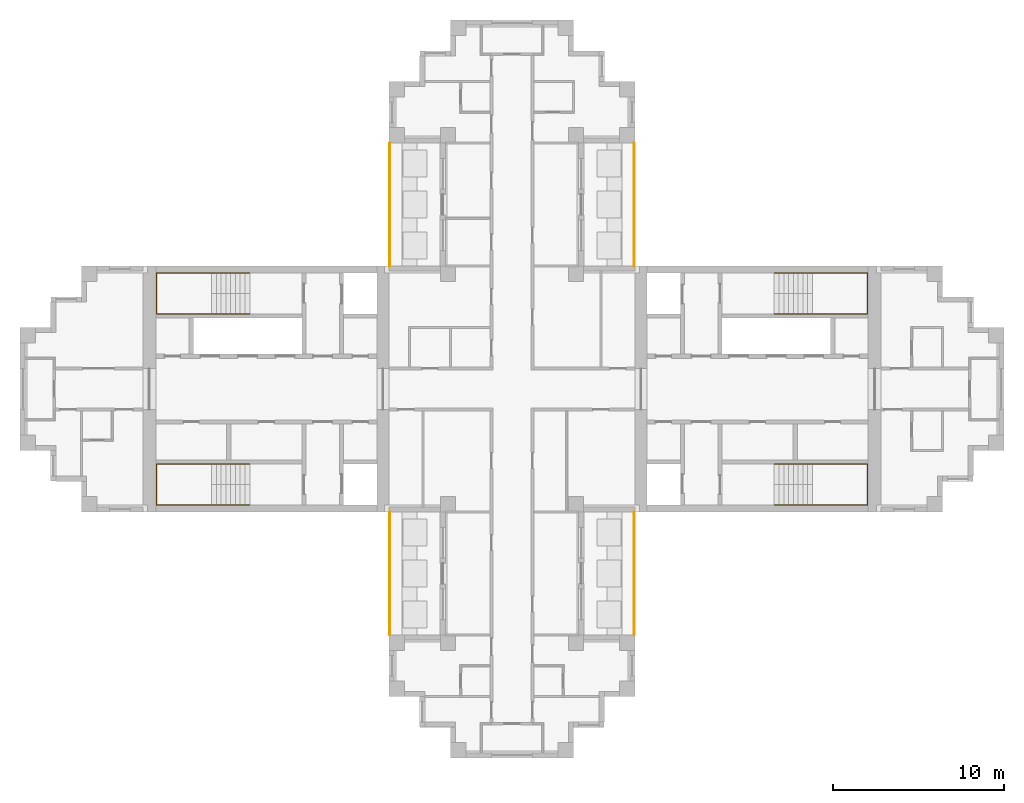
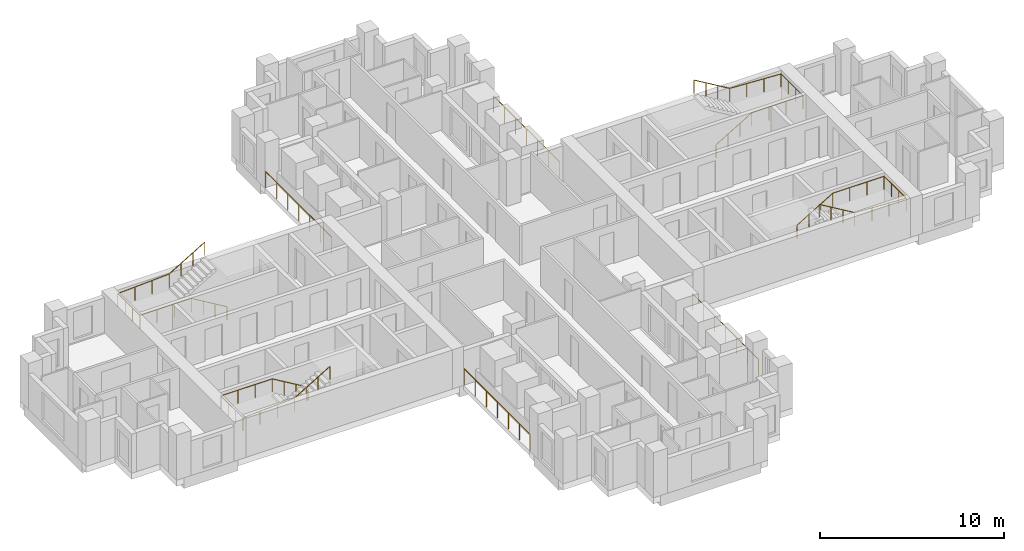
# One storey, part 9 of 10: 8 railings.
"""IFC4 building model written with IfcOpenShell, lengths in metres."""

import ifcopenshell
import ifcopenshell.guid

model = None  # the IFC model being written
_history = None  # IfcOwnerHistory: only IFC2X3 demands one
_inside = {}  # id of a spatial element -> (the spatial element, [elements in it])
_under = {}  # id of a project, library or spatial element -> (it, [spatial elements below it])
_declared = {}  # id of a project -> (the project, [libraries it declares])
_typed = {}  # id of a type object -> (the type object, [elements of that type])
_made_of = {}  # id of a material, layer set ... -> (it, [elements and type objects made of it])


def new_model(schema):
    """Start an empty IFC model of exactly this schema.

    Asked for "IFC4X3", IfcOpenShell would pick the latest addendum, in which some entities
    have other attributes; the version numbers below select the first issue.
    IFC2X3 requires an IfcOwnerHistory on every rooted entity: one is made here for all.
    """
    global model, _history
    if schema == "IFC4X3":
        model = ifcopenshell.file(schema_version=(4, 3, 0, 0))
    else:
        model = ifcopenshell.file(schema=schema)
    _inside.clear()
    _under.clear()
    _declared.clear()
    _typed.clear()
    _made_of.clear()
    _history = None
    if model.schema == "IFC2X3":
        org = make("IfcOrganization", Name="unknown")
        user = make(
            "IfcPersonAndOrganization",
            ThePerson=make("IfcPerson", FamilyName="unknown"),
            TheOrganization=org,
        )
        app = make(
            "IfcApplication",
            ApplicationDeveloper=org,
            Version="unknown",
            ApplicationFullName="unknown",
            ApplicationIdentifier="unknown",
        )
        _history = make(
            "IfcOwnerHistory",
            OwningUser=user,
            OwningApplication=app,
            ChangeAction="ADDED",
            CreationDate=0,
        )
    return model


def make(cls, **values):
    """One entity of the class cls with the attributes given. An attribute that is None is left unset."""
    return model.create_entity(
        cls, **{name: value for name, value in values.items() if value is not None}
    )


def rooted(cls, **values):
    """An entity with a GlobalId (a new one), such as an element, a storey or a relation."""
    return make(cls, GlobalId=ifcopenshell.guid.new(), OwnerHistory=_history, **values)


def si_unit(unit_type, name, prefix=None):
    """IfcSIUnit, for example si_unit("LENGTHUNIT", "METRE", prefix="MILLI")."""
    return make("IfcSIUnit", UnitType=unit_type, Prefix=prefix, Name=name)


def assignment(units):
    """IfcUnitAssignment: the units of a project."""
    return None if units is None else make("IfcUnitAssignment", Units=units)


def point(xyz):
    """IfcCartesianPoint."""
    return None if xyz is None else make("IfcCartesianPoint", Coordinates=xyz)


def direction(xyz):
    """IfcDirection."""
    return None if xyz is None else make("IfcDirection", DirectionRatios=xyz)


def frame(location, z_axis=None, x_axis=None):
    """IfcAxis2Placement3D, a coordinate frame: its origin and axes. An axis left out is left unset."""
    return make(
        "IfcAxis2Placement3D",
        Location=point(location),
        Axis=direction(z_axis),
        RefDirection=direction(x_axis),
    )


def frame_2d(location, x_axis=None):
    """IfcAxis2Placement2D, a coordinate frame in the plane: its origin and x axis."""
    return make(
        "IfcAxis2Placement2D", Location=point(location), RefDirection=direction(x_axis)
    )


def origin():
    """The frame at (0, 0, 0) with its axes left unset."""
    return frame((0.0, 0.0, 0.0))


def origin_2d():
    """The frame at (0, 0) in the plane with its x axis left unset."""
    return frame_2d((0.0, 0.0))


def place(relative_to, where):
    """IfcLocalPlacement: puts the frame where relative to a parent placement (None: the world)."""
    return make(
        "IfcLocalPlacement", PlacementRelTo=relative_to, RelativePlacement=where
    )


def context(
    kind, dimensions, precision=None, world=None, true_north=None, identifier=None
):
    """IfcGeometricRepresentationContext, for example the 3D "Model" context."""
    return make(
        "IfcGeometricRepresentationContext",
        ContextIdentifier=identifier,
        ContextType=kind,
        CoordinateSpaceDimension=dimensions,
        Precision=precision,
        WorldCoordinateSystem=world,
        TrueNorth=true_north,
    )


def subcontext(parent, identifier, kind, view, scale=None):
    """IfcGeometricRepresentationSubContext, for example "Body" below "Model"."""
    return make(
        "IfcGeometricRepresentationSubContext",
        ContextIdentifier=identifier,
        ContextType=kind,
        ParentContext=parent,
        TargetScale=scale,
        TargetView=view,
    )


def project(units=None, contexts=None):
    """IfcProject with its units and contexts."""
    return rooted(
        "IfcProject",
        Name="project",
        RepresentationContexts=contexts,
        UnitsInContext=assignment(units),
    )


def spatial(cls, under=None, at=None, **own):
    """A site, building, storey or space (cls), placed at a placement, below another one or the project."""
    s = rooted(cls, ObjectPlacement=at, **own)
    if under is not None:
        _under.setdefault(under.id(), (under, []))[1].append(s)
    return s


def profile(cls, at=None, kind="AREA", **sizes):
    """A parametric profile (cls). Its sizes go by their IFC names, for example OverallWidth=200.0."""
    return make(cls, ProfileType=kind, Position=at, **sizes)


def circle(**sizes):
    """IfcCircleProfileDef."""
    return profile("IfcCircleProfileDef", **sizes)


def extrude(swept, where, along, depth):
    """IfcExtrudedAreaSolid: the profile swept, set in the frame where, extruded along a direction by depth."""
    return make(
        "IfcExtrudedAreaSolid",
        SweptArea=swept,
        Position=where,
        ExtrudedDirection=direction(along),
        Depth=depth,
    )


def shape(context_of_items, identifier, shape_type, items):
    """IfcShapeRepresentation: the items that make up one representation, for example the "Body"."""
    return make(
        "IfcShapeRepresentation",
        ContextOfItems=context_of_items,
        RepresentationIdentifier=identifier,
        RepresentationType=shape_type,
        Items=items,
    )


def material(Name=None, Category=None):
    """IfcMaterial."""
    return make("IfcMaterial", Name=Name, Category=Category)


def made_of(thing, what):
    """Note that an element or type object is made of a material, layer set ...; save() writes the relation."""
    if what is not None:
        _made_of.setdefault(what.id(), (what, []))[1].append(thing)
    return thing


def type_object(cls, material=None, **own):
    """A type object (cls), such as IfcWallType, which elements share."""
    return made_of(rooted(cls, **own), material)


def element(
    cls,
    number,
    at=None,
    inside=None,
    cuts=None,
    type_object=None,
    material=None,
    context=None,
    identifier="Body",
    shape_type=None,
    held_by="IfcProductDefinitionShape",
    body=None,
    shapes=None,
    **own,
):
    """One element of the class cls, such as IfcWall. Its Tag is "e" and its number.

    at: its placement. inside: the storey or other place that contains it. cuts: it is an
    opening in that element (IfcRelVoidsElement). A single representation is given by context,
    identifier, shape_type and body (its items); several are given by shapes. held_by: the class
    of the entity that holds the representations. save() writes the other relations.
    """
    e = rooted(cls, Tag="e%d" % number, ObjectPlacement=at, **own)
    if body is not None:
        shapes = [shape(context, identifier, shape_type, body)]
    if shapes is not None:
        e.Representation = make(held_by, Representations=shapes)
    if inside is not None:
        _inside.setdefault(inside.id(), (inside, []))[1].append(e)
    if cuts is not None:
        rooted(
            "IfcRelVoidsElement", RelatingBuildingElement=cuts, RelatedOpeningElement=e
        )
    if type_object is not None:
        _typed.setdefault(type_object.id(), (type_object, []))[1].append(e)
    return made_of(e, material)


def aggregate(whole, parts):
    """IfcRelAggregates: a whole, such as a stair, and the parts it consists of."""
    return rooted("IfcRelAggregates", RelatingObject=whole, RelatedObjects=parts)


def save(model, path):
    """Write the relations noted so far, then the file.

    IfcRelAggregates (storeys below a building ...), IfcRelContainedInSpatialStructure (elements
    in a storey), IfcRelDefinesByType, IfcRelAssociatesMaterial and IfcRelDeclares: one each for
    every whole, place, type object, material and project.
    """
    for whole, parts in _under.values():
        aggregate(whole, parts)
    for where, things in _inside.values():
        rooted(
            "IfcRelContainedInSpatialStructure",
            RelatedElements=things,
            RelatingStructure=where,
        )
    for kind, things in _typed.values():
        rooted("IfcRelDefinesByType", RelatedObjects=things, RelatingType=kind)
    for what, things in _made_of.values():
        rooted("IfcRelAssociatesMaterial", RelatedObjects=things, RelatingMaterial=what)
    for by, libraries in _declared.values():
        rooted("IfcRelDeclares", RelatingContext=by, RelatedDefinitions=libraries)
    model.write(path)


model = new_model("IFC4")

# Units and contexts
model_context = context("Model", 3, precision=1e-05, world=origin(), true_north=direction((0.0, 1.0)))
body_context = subcontext(model_context, "Body", "Model", "MODEL_VIEW")
ifc_project = project(units=[si_unit("LENGTHUNIT", "METRE"), si_unit("AREAUNIT", "SQUARE_METRE"), si_unit("VOLUMEUNIT", "CUBIC_METRE"), si_unit("PLANEANGLEUNIT", "RADIAN"), si_unit("MASSUNIT", "GRAM", prefix="KILO")], contexts=[model_context])

# Site, building, storey
site_placement = place(None, origin())
site = spatial("IfcSite", under=ifc_project, at=site_placement, CompositionType="ELEMENT")
building_placement = place(site_placement, origin())
building = spatial("IfcBuilding", under=site, at=building_placement, Name="Fustian Cross Tower", CompositionType="ELEMENT")
storey_placement = place(building_placement, frame((0.0, 0.0, 228.89990234375)))
storey = spatial("IfcBuildingStorey", under=building, at=storey_placement, Name="L72", CompositionType="ELEMENT", Elevation=228.89990234375)

# Railings
ifc_material_1 = material(Name="Stainless steel and glass", Category="steel")
railing_type_1 = type_object("IfcRailingType", Name="GR1 BALCONY GUARD 1100", PredefinedType="GUARDRAIL", material=ifc_material_1)
for number, where, name in (
    (1, (7.14990234375, 7.199951171875, 0.0), "Balcony guard"),
    (2, (-7.14990234375, 7.199951171875, 0.0), "Balcony guard"),
    (3, (7.14990234375, -14.39990234375, 0.0), "Balcony guard"),
    (4, (-7.14990234375, -14.39990234375, 0.0), "Balcony guard"),
):
    element("IfcRailing", number, at=place(storey_placement, frame(where)), inside=storey, type_object=railing_type_1, Name=name, PredefinedType="GUARDRAIL", context=body_context, shape_type="SweptSolid", body=[
        extrude(circle(Radius=0.02392578125, at=origin_2d()), frame((0.0, 0.0, 1.076171875), z_axis=(0.0, 1.0, 0.0), x_axis=(-1.0, 0.0, 0.0)), (0.0, 0.0, 1.0), 7.199951171875),
        extrude(circle(Radius=0.02099609375, at=origin_2d()), origin(), (0.0, 0.0, 1.0), 1.052001953125),
        extrude(circle(Radius=0.02099609375, at=origin_2d()), frame((0.0, 1.199951171875, 0.0)), (0.0, 0.0, 1.0), 1.052001953125),
        extrude(circle(Radius=0.02099609375, at=origin_2d()), frame((0.0, 2.39990234375, 0.0)), (0.0, 0.0, 1.0), 1.052001953125),
        extrude(circle(Radius=0.02099609375, at=origin_2d()), frame((0.0, 3.60009765625, 0.0)), (0.0, 0.0, 1.0), 1.052001953125),
        extrude(circle(Radius=0.02099609375, at=origin_2d()), frame((0.0, 4.800048828125, 0.0)), (0.0, 0.0, 1.0), 1.052001953125),
        extrude(circle(Radius=0.02099609375, at=origin_2d()), frame((0.0, 6.0, 0.0)), (0.0, 0.0, 1.0), 1.052001953125),
        extrude(circle(Radius=0.02099609375, at=origin_2d()), frame((0.0, 7.199951171875, 0.0)), (0.0, 0.0, 1.0), 1.052001953125),
    ])
ifc_material_2 = material(Name="Stainless steel", Category="steel")
railing_type_2 = type_object("IfcRailingType", Name="STAIR HANDRAIL", PredefinedType="HANDRAIL", material=ifc_material_2)
railing_1_placement = place(storey_placement, frame((15.35009765625, 4.39990234375, 0.166748046875)))
element("IfcRailing", 5, at=railing_1_placement, inside=storey, type_object=railing_type_2, Name="Stair ST1 handrail 1", PredefinedType="HANDRAIL", context=body_context, shape_type="SweptSolid", body=[
    extrude(circle(Radius=0.02490234375, at=origin_2d()), frame((0.0, 0.0, 0.875), z_axis=(0.859305625298, 0.0, 0.511462454469), x_axis=(0.0, 1.0, 0.0)), (0.0, 0.0, 1.0), 2.606689453125),
    extrude(circle(Radius=0.02490234375, at=origin_2d()), frame((2.239990234375, 0.0, 2.2080078125), z_axis=(1.0, 0.0, 0.0), x_axis=(0.0, 1.0, 0.0)), (0.0, 0.0, 1.0), 3.219970703125),
    extrude(circle(Radius=0.02490234375, at=origin_2d()), frame((5.4599609375, 0.0, 2.2080078125), z_axis=(0.0, 1.0, 0.0), x_axis=(-1.0, 0.0, 0.0)), (0.0, 0.0, 1.0), 2.400146484375),
    extrude(circle(Radius=0.02490234375, at=origin_2d()), frame((5.4599609375, 2.400146484375, 2.2080078125), z_axis=(-0.998661817807, 0.0, 0.051716280352), x_axis=(0.0, -1.0, 0.0)), (0.0, 0.0, 1.0), 3.224365234375),
    extrude(circle(Radius=0.02490234375, at=origin_2d()), frame((2.239990234375, 2.400146484375, 2.375), z_axis=(-0.859305625298, 0.0, 0.511462454469), x_axis=(0.0, -1.0, 0.0)), (0.0, 0.0, 1.0), 2.606689453125),
    extrude(circle(Radius=0.02001953125, at=origin_2d()), origin(), (0.0, 0.0, 1.0), 0.849853515625),
    extrude(circle(Radius=0.02001953125, at=origin_2d()), frame((0.74658203125, 0.0, 0.4443359375)), (0.0, 0.0, 1.0), 0.849853515625),
    extrude(circle(Radius=0.02001953125, at=origin_2d()), frame((1.493408203125, 0.0, 0.888916015625)), (0.0, 0.0, 1.0), 0.849853515625),
    extrude(circle(Radius=0.02001953125, at=origin_2d()), frame((2.239990234375, 0.0, 1.333251953125)), (0.0, 0.0, 1.0), 0.849853515625),
    extrude(circle(Radius=0.02001953125, at=origin_2d()), frame((3.313232421875, 0.0, 1.333251953125)), (0.0, 0.0, 1.0), 0.849853515625),
    extrude(circle(Radius=0.02001953125, at=origin_2d()), frame((4.38671875, 0.0, 1.333251953125)), (0.0, 0.0, 1.0), 0.849853515625),
    extrude(circle(Radius=0.02001953125, at=origin_2d()), frame((5.4599609375, 0.0, 1.333251953125)), (0.0, 0.0, 1.0), 0.849853515625),
    extrude(circle(Radius=0.02001953125, at=origin_2d()), frame((5.4599609375, 0.800048828125, 1.333251953125)), (0.0, 0.0, 1.0), 0.849853515625),
    extrude(circle(Radius=0.02001953125, at=origin_2d()), frame((5.4599609375, 1.60009765625, 1.333251953125)), (0.0, 0.0, 1.0), 0.849853515625),
    extrude(circle(Radius=0.02001953125, at=origin_2d()), frame((5.4599609375, 2.400146484375, 1.333251953125)), (0.0, 0.0, 1.0), 0.849853515625),
    extrude(circle(Radius=0.02001953125, at=origin_2d()), frame((4.38671875, 2.400146484375, 1.388916015625)), (0.0, 0.0, 1.0), 0.849853515625),
    extrude(circle(Radius=0.02001953125, at=origin_2d()), frame((3.313232421875, 2.400146484375, 1.4443359375)), (0.0, 0.0, 1.0), 0.849853515625),
    extrude(circle(Radius=0.02001953125, at=origin_2d()), frame((2.239990234375, 2.400146484375, 1.5)), (0.0, 0.0, 1.0), 0.849853515625),
    extrude(circle(Radius=0.02001953125, at=origin_2d()), frame((1.493408203125, 2.400146484375, 1.9443359375)), (0.0, 0.0, 1.0), 0.849853515625),
    extrude(circle(Radius=0.02001953125, at=origin_2d()), frame((0.74658203125, 2.400146484375, 2.388916015625)), (0.0, 0.0, 1.0), 0.849853515625),
    extrude(circle(Radius=0.02001953125, at=origin_2d()), frame((0.0, 2.400146484375, 2.833251953125)), (0.0, 0.0, 1.0), 0.849853515625),
])
railing_2_placement = place(storey_placement, frame((15.35009765625, -4.39990234375, 0.166748046875)))
element("IfcRailing", 6, at=railing_2_placement, inside=storey, type_object=railing_type_2, Name="Stair ST2 handrail 1", PredefinedType="HANDRAIL", context=body_context, shape_type="SweptSolid", body=[
    extrude(circle(Radius=0.02490234375, at=origin_2d()), frame((0.0, 0.0, 0.875), z_axis=(0.859305625298, 0.0, 0.511462454469), x_axis=(0.0, 1.0, 0.0)), (0.0, 0.0, 1.0), 2.606689453125),
    extrude(circle(Radius=0.02490234375, at=origin_2d()), frame((2.239990234375, 0.0, 2.2080078125), z_axis=(1.0, 0.0, 0.0), x_axis=(0.0, 1.0, 0.0)), (0.0, 0.0, 1.0), 3.219970703125),
    extrude(circle(Radius=0.02490234375, at=origin_2d()), frame((5.4599609375, 0.0, 2.2080078125), z_axis=(0.0, -1.0, 0.0), x_axis=(1.0, 0.0, 0.0)), (0.0, 0.0, 1.0), 2.400146484375),
    extrude(circle(Radius=0.02490234375, at=origin_2d()), frame((5.4599609375, -2.400146484375, 2.2080078125), z_axis=(-0.998661817807, 0.0, 0.051716280352), x_axis=(0.0, -1.0, 0.0)), (0.0, 0.0, 1.0), 3.224365234375),
    extrude(circle(Radius=0.02490234375, at=origin_2d()), frame((2.239990234375, -2.400146484375, 2.375), z_axis=(-0.859305625298, 0.0, 0.511462454469), x_axis=(0.0, -1.0, 0.0)), (0.0, 0.0, 1.0), 2.606689453125),
    extrude(circle(Radius=0.02001953125, at=origin_2d()), origin(), (0.0, 0.0, 1.0), 0.849853515625),
    extrude(circle(Radius=0.02001953125, at=origin_2d()), frame((0.74658203125, 0.0, 0.4443359375)), (0.0, 0.0, 1.0), 0.849853515625),
    extrude(circle(Radius=0.02001953125, at=origin_2d()), frame((1.493408203125, 0.0, 0.888916015625)), (0.0, 0.0, 1.0), 0.849853515625),
    extrude(circle(Radius=0.02001953125, at=origin_2d()), frame((2.239990234375, 0.0, 1.333251953125)), (0.0, 0.0, 1.0), 0.849853515625),
    extrude(circle(Radius=0.02001953125, at=origin_2d()), frame((3.313232421875, 0.0, 1.333251953125)), (0.0, 0.0, 1.0), 0.849853515625),
    extrude(circle(Radius=0.02001953125, at=origin_2d()), frame((4.38671875, 0.0, 1.333251953125)), (0.0, 0.0, 1.0), 0.849853515625),
    extrude(circle(Radius=0.02001953125, at=origin_2d()), frame((5.4599609375, 0.0, 1.333251953125)), (0.0, 0.0, 1.0), 0.849853515625),
    extrude(circle(Radius=0.02001953125, at=origin_2d()), frame((5.4599609375, -0.800048828125, 1.333251953125)), (0.0, 0.0, 1.0), 0.849853515625),
    extrude(circle(Radius=0.02001953125, at=origin_2d()), frame((5.4599609375, -1.60009765625, 1.333251953125)), (0.0, 0.0, 1.0), 0.849853515625),
    extrude(circle(Radius=0.02001953125, at=origin_2d()), frame((5.4599609375, -2.400146484375, 1.333251953125)), (0.0, 0.0, 1.0), 0.849853515625),
    extrude(circle(Radius=0.02001953125, at=origin_2d()), frame((4.38671875, -2.400146484375, 1.388916015625)), (0.0, 0.0, 1.0), 0.849853515625),
    extrude(circle(Radius=0.02001953125, at=origin_2d()), frame((3.313232421875, -2.400146484375, 1.4443359375)), (0.0, 0.0, 1.0), 0.849853515625),
    extrude(circle(Radius=0.02001953125, at=origin_2d()), frame((2.239990234375, -2.400146484375, 1.5)), (0.0, 0.0, 1.0), 0.849853515625),
    extrude(circle(Radius=0.02001953125, at=origin_2d()), frame((1.493408203125, -2.400146484375, 1.9443359375)), (0.0, 0.0, 1.0), 0.849853515625),
    extrude(circle(Radius=0.02001953125, at=origin_2d()), frame((0.74658203125, -2.400146484375, 2.388916015625)), (0.0, 0.0, 1.0), 0.849853515625),
    extrude(circle(Radius=0.02001953125, at=origin_2d()), frame((0.0, -2.400146484375, 2.833251953125)), (0.0, 0.0, 1.0), 0.849853515625),
])
railing_3_placement = place(storey_placement, frame((-15.35009765625, 4.39990234375, 0.166748046875)))
element("IfcRailing", 7, at=railing_3_placement, inside=storey, type_object=railing_type_2, Name="Stair ST3 handrail 1", PredefinedType="HANDRAIL", context=body_context, shape_type="SweptSolid", body=[
    extrude(circle(Radius=0.02490234375, at=origin_2d()), frame((0.0, 0.0, 0.875), z_axis=(-0.859305625298, 0.0, 0.511462454469), x_axis=(0.0, -1.0, 0.0)), (0.0, 0.0, 1.0), 2.606689453125),
    extrude(circle(Radius=0.02490234375, at=origin_2d()), frame((-2.239990234375, 0.0, 2.2080078125), z_axis=(-1.0, 0.0, 0.0), x_axis=(0.0, -1.0, 0.0)), (0.0, 0.0, 1.0), 3.219970703125),
    extrude(circle(Radius=0.02490234375, at=origin_2d()), frame((-5.4599609375, 0.0, 2.2080078125), z_axis=(0.0, 1.0, 0.0), x_axis=(-1.0, 0.0, 0.0)), (0.0, 0.0, 1.0), 2.400146484375),
    extrude(circle(Radius=0.02490234375, at=origin_2d()), frame((-5.4599609375, 2.400146484375, 2.2080078125), z_axis=(0.998661817807, 0.0, 0.051716280352), x_axis=(0.0, 1.0, 0.0)), (0.0, 0.0, 1.0), 3.224365234375),
    extrude(circle(Radius=0.02490234375, at=origin_2d()), frame((-2.239990234375, 2.400146484375, 2.375), z_axis=(0.859305625298, 0.0, 0.511462454469), x_axis=(0.0, 1.0, 0.0)), (0.0, 0.0, 1.0), 2.606689453125),
    extrude(circle(Radius=0.02001953125, at=origin_2d()), origin(), (0.0, 0.0, 1.0), 0.849853515625),
    extrude(circle(Radius=0.02001953125, at=origin_2d()), frame((-0.74658203125, 0.0, 0.4443359375)), (0.0, 0.0, 1.0), 0.849853515625),
    extrude(circle(Radius=0.02001953125, at=origin_2d()), frame((-1.493408203125, 0.0, 0.888916015625)), (0.0, 0.0, 1.0), 0.849853515625),
    extrude(circle(Radius=0.02001953125, at=origin_2d()), frame((-2.239990234375, 0.0, 1.333251953125)), (0.0, 0.0, 1.0), 0.849853515625),
    extrude(circle(Radius=0.02001953125, at=origin_2d()), frame((-3.313232421875, 0.0, 1.333251953125)), (0.0, 0.0, 1.0), 0.849853515625),
    extrude(circle(Radius=0.02001953125, at=origin_2d()), frame((-4.38671875, 0.0, 1.333251953125)), (0.0, 0.0, 1.0), 0.849853515625),
    extrude(circle(Radius=0.02001953125, at=origin_2d()), frame((-5.4599609375, 0.0, 1.333251953125)), (0.0, 0.0, 1.0), 0.849853515625),
    extrude(circle(Radius=0.02001953125, at=origin_2d()), frame((-5.4599609375, 0.800048828125, 1.333251953125)), (0.0, 0.0, 1.0), 0.849853515625),
    extrude(circle(Radius=0.02001953125, at=origin_2d()), frame((-5.4599609375, 1.60009765625, 1.333251953125)), (0.0, 0.0, 1.0), 0.849853515625),
    extrude(circle(Radius=0.02001953125, at=origin_2d()), frame((-5.4599609375, 2.400146484375, 1.333251953125)), (0.0, 0.0, 1.0), 0.849853515625),
    extrude(circle(Radius=0.02001953125, at=origin_2d()), frame((-4.38671875, 2.400146484375, 1.388916015625)), (0.0, 0.0, 1.0), 0.849853515625),
    extrude(circle(Radius=0.02001953125, at=origin_2d()), frame((-3.313232421875, 2.400146484375, 1.4443359375)), (0.0, 0.0, 1.0), 0.849853515625),
    extrude(circle(Radius=0.02001953125, at=origin_2d()), frame((-2.239990234375, 2.400146484375, 1.5)), (0.0, 0.0, 1.0), 0.849853515625),
    extrude(circle(Radius=0.02001953125, at=origin_2d()), frame((-1.493408203125, 2.400146484375, 1.9443359375)), (0.0, 0.0, 1.0), 0.849853515625),
    extrude(circle(Radius=0.02001953125, at=origin_2d()), frame((-0.74658203125, 2.400146484375, 2.388916015625)), (0.0, 0.0, 1.0), 0.849853515625),
    extrude(circle(Radius=0.02001953125, at=origin_2d()), frame((0.0, 2.400146484375, 2.833251953125)), (0.0, 0.0, 1.0), 0.849853515625),
])
railing_4_placement = place(storey_placement, frame((-15.35009765625, -4.39990234375, 0.166748046875)))
element("IfcRailing", 8, at=railing_4_placement, inside=storey, type_object=railing_type_2, Name="Stair ST4 handrail 1", PredefinedType="HANDRAIL", context=body_context, shape_type="SweptSolid", body=[
    extrude(circle(Radius=0.02490234375, at=origin_2d()), frame((0.0, 0.0, 0.875), z_axis=(-0.859305625298, 0.0, 0.511462454469), x_axis=(0.0, -1.0, 0.0)), (0.0, 0.0, 1.0), 2.606689453125),
    extrude(circle(Radius=0.02490234375, at=origin_2d()), frame((-2.239990234375, 0.0, 2.2080078125), z_axis=(-1.0, 0.0, 0.0), x_axis=(0.0, -1.0, 0.0)), (0.0, 0.0, 1.0), 3.219970703125),
    extrude(circle(Radius=0.02490234375, at=origin_2d()), frame((-5.4599609375, 0.0, 2.2080078125), z_axis=(0.0, -1.0, 0.0), x_axis=(1.0, 0.0, 0.0)), (0.0, 0.0, 1.0), 2.400146484375),
    extrude(circle(Radius=0.02490234375, at=origin_2d()), frame((-5.4599609375, -2.400146484375, 2.2080078125), z_axis=(0.998661817807, 0.0, 0.051716280352), x_axis=(0.0, 1.0, 0.0)), (0.0, 0.0, 1.0), 3.224365234375),
    extrude(circle(Radius=0.02490234375, at=origin_2d()), frame((-2.239990234375, -2.400146484375, 2.375), z_axis=(0.859305625298, 0.0, 0.511462454469), x_axis=(0.0, 1.0, 0.0)), (0.0, 0.0, 1.0), 2.606689453125),
    extrude(circle(Radius=0.02001953125, at=origin_2d()), origin(), (0.0, 0.0, 1.0), 0.849853515625),
    extrude(circle(Radius=0.02001953125, at=origin_2d()), frame((-0.74658203125, 0.0, 0.4443359375)), (0.0, 0.0, 1.0), 0.849853515625),
    extrude(circle(Radius=0.02001953125, at=origin_2d()), frame((-1.493408203125, 0.0, 0.888916015625)), (0.0, 0.0, 1.0), 0.849853515625),
    extrude(circle(Radius=0.02001953125, at=origin_2d()), frame((-2.239990234375, 0.0, 1.333251953125)), (0.0, 0.0, 1.0), 0.849853515625),
    extrude(circle(Radius=0.02001953125, at=origin_2d()), frame((-3.313232421875, 0.0, 1.333251953125)), (0.0, 0.0, 1.0), 0.849853515625),
    extrude(circle(Radius=0.02001953125, at=origin_2d()), frame((-4.38671875, 0.0, 1.333251953125)), (0.0, 0.0, 1.0), 0.849853515625),
    extrude(circle(Radius=0.02001953125, at=origin_2d()), frame((-5.4599609375, 0.0, 1.333251953125)), (0.0, 0.0, 1.0), 0.849853515625),
    extrude(circle(Radius=0.02001953125, at=origin_2d()), frame((-5.4599609375, -0.800048828125, 1.333251953125)), (0.0, 0.0, 1.0), 0.849853515625),
    extrude(circle(Radius=0.02001953125, at=origin_2d()), frame((-5.4599609375, -1.60009765625, 1.333251953125)), (0.0, 0.0, 1.0), 0.849853515625),
    extrude(circle(Radius=0.02001953125, at=origin_2d()), frame((-5.4599609375, -2.400146484375, 1.333251953125)), (0.0, 0.0, 1.0), 0.849853515625),
    extrude(circle(Radius=0.02001953125, at=origin_2d()), frame((-4.38671875, -2.400146484375, 1.388916015625)), (0.0, 0.0, 1.0), 0.849853515625),
    extrude(circle(Radius=0.02001953125, at=origin_2d()), frame((-3.313232421875, -2.400146484375, 1.4443359375)), (0.0, 0.0, 1.0), 0.849853515625),
    extrude(circle(Radius=0.02001953125, at=origin_2d()), frame((-2.239990234375, -2.400146484375, 1.5)), (0.0, 0.0, 1.0), 0.849853515625),
    extrude(circle(Radius=0.02001953125, at=origin_2d()), frame((-1.493408203125, -2.400146484375, 1.9443359375)), (0.0, 0.0, 1.0), 0.849853515625),
    extrude(circle(Radius=0.02001953125, at=origin_2d()), frame((-0.74658203125, -2.400146484375, 2.388916015625)), (0.0, 0.0, 1.0), 0.849853515625),
    extrude(circle(Radius=0.02001953125, at=origin_2d()), frame((0.0, -2.400146484375, 2.833251953125)), (0.0, 0.0, 1.0), 0.849853515625),
])

save(model, "model.ifc")
